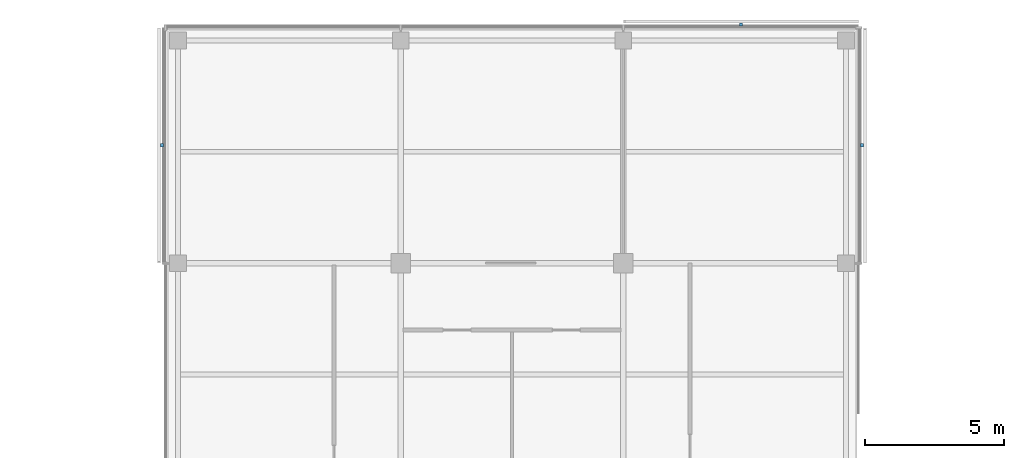
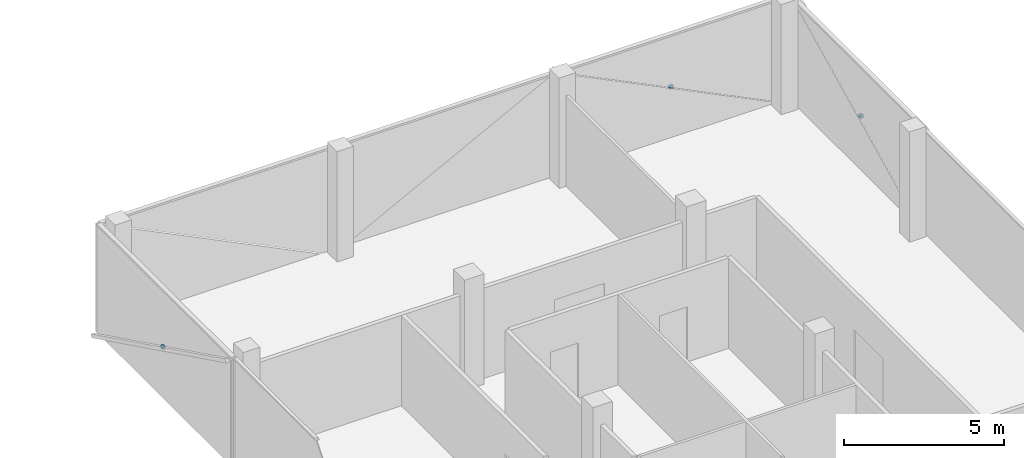
# One storey, part 14 of 15: 3 discrete accessories.
"""IFC4 building model written with IfcOpenShell, lengths in metres."""

from ifc_helpers import new_model, si_unit, direction, frame, origin, origin_2d, place, context, subcontext, project, spatial, rectangle, extrude, material, type_object, element, save


model = new_model("IFC4")

# Units and contexts
model_context = context("Model", 3, precision=1e-05, world=origin(), true_north=direction((0.0, 1.0)))
body_context = subcontext(model_context, "Body", "Model", "MODEL_VIEW")
ifc_project = project(units=[si_unit("LENGTHUNIT", "METRE"), si_unit("AREAUNIT", "SQUARE_METRE"), si_unit("VOLUMEUNIT", "CUBIC_METRE"), si_unit("PLANEANGLEUNIT", "RADIAN"), si_unit("MASSUNIT", "GRAM", prefix="KILO")], contexts=[model_context])

# Site, building, storey
site_placement = place(None, origin())
site = spatial("IfcSite", under=ifc_project, at=site_placement, CompositionType="ELEMENT")
building_placement = place(site_placement, origin())
building = spatial("IfcBuilding", under=site, at=building_placement, Name="Crosswind Convention Tower", CompositionType="ELEMENT")
storey_placement = place(building_placement, frame((0.0, 0.0, 266.10009765625)))
storey = spatial("IfcBuildingStorey", under=building, at=storey_placement, Name="L57", CompositionType="ELEMENT", Elevation=266.10009765625)

# Discrete accessories
ifc_material = material(Name="Stainless steel", Category="steel")
discrete_accessory_type = type_object("IfcDiscreteAccessoryType", Name="BAGUETTE BRACKET BK3", PredefinedType="BRACKET", material=ifc_material)
for number, where, z_axis, x_axis, name in (
    (1, (137.575927734375, 124.22998046875, 1.704833984375), (0.0, 0.0, 1.0), (0.0, 1.0, 0.0), "BK3 baguette bracket"),
    (2, (133.22998046875, 128.575927734375, 1.704833984375), (0.0, 0.0, 1.0), (-1.0, 0.0, 0.0), "BK3 baguette bracket"),
    (3, (112.424072265625, 124.22998046875, 1.704833984375), (0.0, 0.0, 1.0), (0.0, -1.0, 0.0), "BK3 baguette bracket"),
):
    element("IfcDiscreteAccessory", number, at=place(storey_placement, frame(where, z_axis=z_axis, x_axis=x_axis)), inside=storey, type_object=discrete_accessory_type, Name=name, PredefinedType="BRACKET", context=body_context, shape_type="SweptSolid", body=[
        extrude(rectangle(XDim=0.1201171875, YDim=0.10009765625, at=origin_2d()), origin(), (0.0, 0.0, 1.0), 0.1201171875),
    ])

save(model, "model.ifc")
